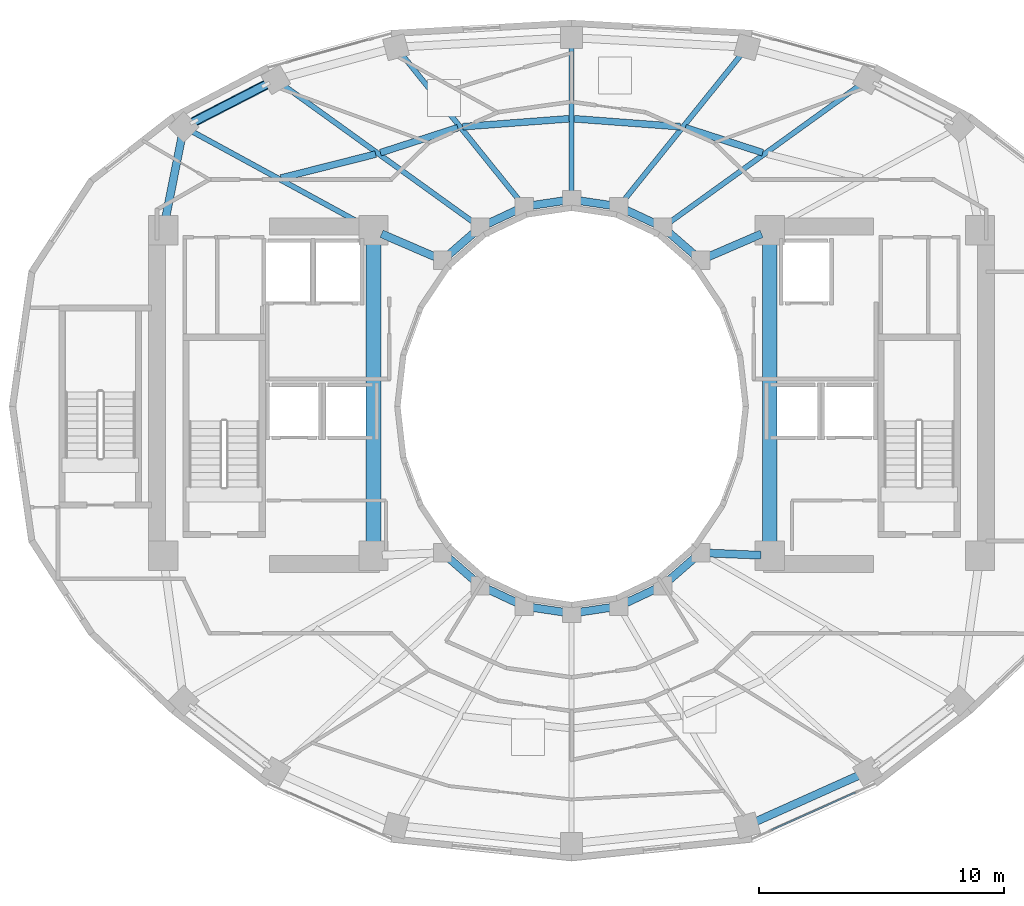
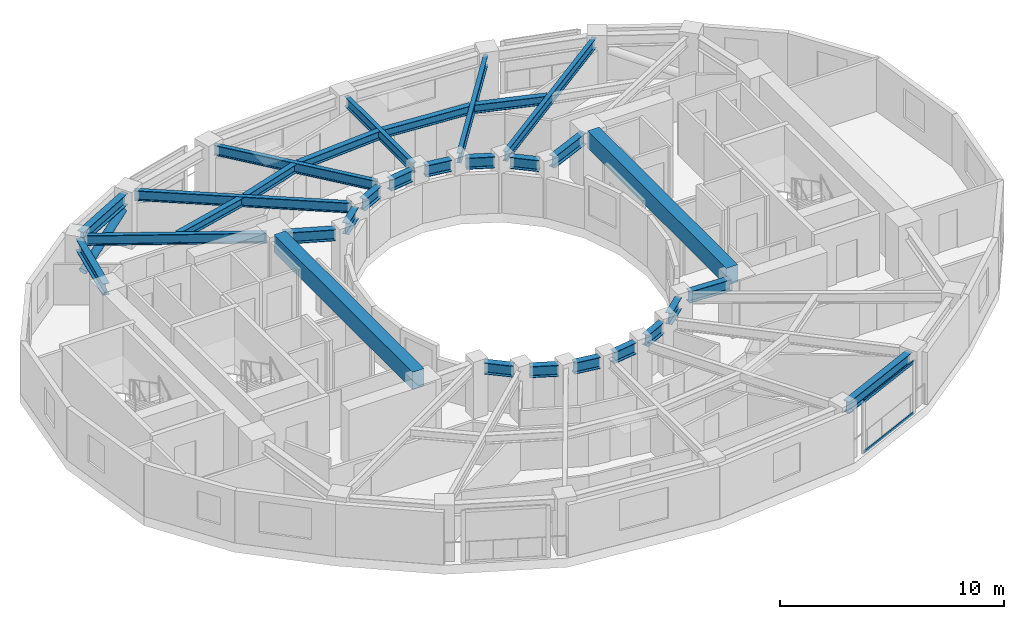
# One storey, part 5 of 17: 31 beams, 3 members, 1 element without a shape of its own.
"""IFC4 building model written with IfcOpenShell, lengths in metres."""

from ifc_helpers import new_model, si_unit, direction, frame, origin, origin_2d, place, context, subcontext, project, spatial, rectangle, hollow_rectangle, hollow_circle, i_section, extrude, material, layer, layer_set, material_profile, profile_set, type_object, element, aggregate, save


model = new_model("IFC4")

# Units and contexts
model_context = context("Model", 3, precision=1e-05, world=origin(), true_north=direction((0.0, 1.0)))
body_context = subcontext(model_context, "Body", "Model", "MODEL_VIEW")
ifc_project = project(units=[si_unit("LENGTHUNIT", "METRE"), si_unit("AREAUNIT", "SQUARE_METRE"), si_unit("VOLUMEUNIT", "CUBIC_METRE"), si_unit("PLANEANGLEUNIT", "RADIAN"), si_unit("MASSUNIT", "GRAM", prefix="KILO")], contexts=[model_context])

# Site, building, storey
site_placement = place(None, origin())
site = spatial("IfcSite", under=ifc_project, at=site_placement, CompositionType="ELEMENT")
building_placement = place(site_placement, origin())
building = spatial("IfcBuilding", under=site, at=building_placement, Name="Solvane Sanctuary Tower", CompositionType="ELEMENT")
storey_placement = place(building_placement, frame((0.0, 0.0, 171.5)))
storey = spatial("IfcBuildingStorey", under=building, at=storey_placement, Name="L52", CompositionType="ELEMENT", Elevation=171.5)

# Beams
ifc_material_1 = material(Name="Concrete C70/85", Category="concrete")
ifc_material_profile_1 = material_profile(ifc_material_1, rectangle(XDim=0.60009765625, YDim=0.949951171875, at=origin_2d()), Name="RC600X950")
ifc_profile_set_1 = profile_set([ifc_material_profile_1], Name="Concrete C70/85")
beam_type_1 = type_object("IfcBeamType", Name="Beam B-COUPLE RC600X950", PredefinedType="LINTEL", material=ifc_profile_set_1)
for number, where, z_axis, x_axis, name in (
    (1, (23.89990234375, 17.35009765625, 2.625), (0.0, 1.0, 0.0), (-1.0, 0.0, 0.0), "L52 West Core Coupling Lintel"),
    (2, (40.10009765625, 17.35009765625, 2.625), (0.0, 1.0, 0.0), (-1.0, 0.0, 0.0), "L52 East Core Coupling Lintel"),
):
    element("IfcBeam", number, at=place(storey_placement, frame(where, z_axis=z_axis, x_axis=x_axis)), inside=storey, type_object=beam_type_1, Name=name, PredefinedType="LINTEL", context=body_context, shape_type="SweptSolid", body=[
        extrude(rectangle(XDim=0.60009765625, YDim=0.949951171875, at=origin_2d()), origin(), (0.0, 0.0, 1.0), 12.39990234375),
    ])
ifc_material_2 = material(Name="Steel ASTM A992 Grade 50", Category="steel")
ifc_material_profile_2 = material_profile(ifc_material_2, i_section(OverallWidth=0.214111328125, OverallDepth=0.549072265625, WebThickness=0.0146484375, FlangeThickness=0.023681640625, FilletRadius=0.014892578125, at=origin_2d()), Name="W21X93")
ifc_profile_set_2 = profile_set([ifc_material_profile_2], Name="Steel ASTM A992 Grade 50")
beam_type_2 = type_object("IfcBeamType", Name="Beam B-RAD-Z3 W21X93", PredefinedType="JOIST", material=ifc_profile_set_2)
beam_1_placement = place(storey_placement, frame((35.95703125, 30.490234375, 2.603515625), z_axis=(0.811184384633, 0.584790470277, 0.0), x_axis=(-0.584790470277, 0.811184384633, 0.0)))
element("IfcBeam", 3, at=beam_1_placement, inside=storey, type_object=beam_type_2, Name="L52 Radial Composite Floor Beam 02", PredefinedType="JOIST", context=body_context, shape_type="SweptSolid", body=[
    extrude(i_section(OverallWidth=0.214111328125, OverallDepth=0.549072265625, WebThickness=0.0146484375, FlangeThickness=0.023681640625, FilletRadius=0.014892578125, at=origin_2d()), origin(), (0.0, 0.0, 1.0), 9.756103515625),
])
beam_2_placement = place(storey_placement, frame((34.1064453125, 31.389892578125, 2.603515625), z_axis=(0.627296867999, 0.778780225352, 0.0), x_axis=(-0.778780225352, 0.627296867999, 0.0)))
element("IfcBeam", 4, at=beam_2_placement, inside=storey, type_object=beam_type_2, Name="L52 Radial Composite Floor Beam 03", PredefinedType="JOIST", context=body_context, shape_type="SweptSolid", body=[
    extrude(i_section(OverallWidth=0.214111328125, OverallDepth=0.549072265625, WebThickness=0.0146484375, FlangeThickness=0.023681640625, FilletRadius=0.014892578125, at=origin_2d()), origin(), (0.0, 0.0, 1.0), 7.805419921875),
])
beam_3_placement = place(storey_placement, frame((32.0, 31.739990234375, 2.603515625), z_axis=(0.0, 1.0, 0.0), x_axis=(-1.0, 0.0, 0.0)))
element("IfcBeam", 5, at=beam_3_placement, inside=storey, type_object=beam_type_2, Name="L52 Radial Composite Floor Beam 04", PredefinedType="JOIST", context=body_context, shape_type="SweptSolid", body=[
    extrude(i_section(OverallWidth=0.214111328125, OverallDepth=0.549072265625, WebThickness=0.0146484375, FlangeThickness=0.023681640625, FilletRadius=0.014892578125, at=origin_2d()), origin(), (0.0, 0.0, 1.0), 6.06005859375),
])
beam_4_placement = place(storey_placement, frame((29.8935546875, 31.389892578125, 2.603515625), z_axis=(-0.627296867999, 0.778780225352, 0.0), x_axis=(-0.778780225352, -0.627296867999, 0.0)))
element("IfcBeam", 6, at=beam_4_placement, inside=storey, type_object=beam_type_2, Name="L52 Radial Composite Floor Beam 05", PredefinedType="JOIST", context=body_context, shape_type="SweptSolid", body=[
    extrude(i_section(OverallWidth=0.214111328125, OverallDepth=0.549072265625, WebThickness=0.0146484375, FlangeThickness=0.023681640625, FilletRadius=0.014892578125, at=origin_2d()), origin(), (0.0, 0.0, 1.0), 7.805419921875),
])
beam_5_placement = place(storey_placement, frame((28.04296875, 30.490234375, 2.603515625), z_axis=(-0.811184384633, 0.584790470277, 0.0), x_axis=(-0.584790470277, -0.811184384633, 0.0)))
element("IfcBeam", 7, at=beam_5_placement, inside=storey, type_object=beam_type_2, Name="L52 Radial Composite Floor Beam 06", PredefinedType="JOIST", context=body_context, shape_type="SweptSolid", body=[
    extrude(i_section(OverallWidth=0.214111328125, OverallDepth=0.549072265625, WebThickness=0.0146484375, FlangeThickness=0.023681640625, FilletRadius=0.014892578125, at=origin_2d()), origin(), (0.0, 0.0, 1.0), 9.756103515625),
])
beam_6_placement = place(storey_placement, frame((23.583984375, 30.372314453125, 2.603515625), z_axis=(-0.878108435277, 0.478461676516, 0.0), x_axis=(-0.478461676516, -0.878108435277, 0.0)))
element("IfcBeam", 8, at=beam_6_placement, inside=storey, type_object=beam_type_2, Name="L52 Radial Composite Floor Beam 07", PredefinedType="JOIST", context=body_context, shape_type="SweptSolid", body=[
    extrude(i_section(OverallWidth=0.214111328125, OverallDepth=0.549072265625, WebThickness=0.0146484375, FlangeThickness=0.023681640625, FilletRadius=0.014892578125, at=origin_2d()), origin(), (0.0, 0.0, 1.0), 8.193359375),
])
ifc_material_profile_3 = material_profile(ifc_material_2, i_section(OverallWidth=0.324951171875, OverallDepth=0.615966796875, WebThickness=0.013916015625, FlangeThickness=0.021484375, FilletRadius=0.01611328125, at=origin_2d()), Name="W24X117")
ifc_profile_set_3 = profile_set([ifc_material_profile_3], Name="Steel ASTM A992 Grade 50")
beam_type_3 = type_object("IfcBeamType", Name="Beam B-RING-IN2 W24X117", PredefinedType="BEAM", material=ifc_profile_set_3)
beam_7_placement = place(storey_placement, frame((24.230712890625, 30.0576171875, 2.570068359375), z_axis=(0.918264067649, -0.395968561966, 0.0), x_axis=(0.395968561966, 0.918264067649, 0.0)))
element("IfcBeam", 9, at=beam_7_placement, inside=storey, type_object=beam_type_3, Name="L52 Inner Light-Well Ring Beam CW3-IC07", PredefinedType="BEAM", context=body_context, shape_type="SweptSolid", body=[
    extrude(i_section(OverallWidth=0.324951171875, OverallDepth=0.615966796875, WebThickness=0.013916015625, FlangeThickness=0.021484375, FilletRadius=0.01611328125, at=origin_2d()), origin(), (0.0, 0.0, 1.0), 2.371337890625),
])
beam_8_placement = place(storey_placement, frame((26.9853515625, 29.20849609375, 2.570068359375), z_axis=(0.754311313851, 0.656516901379, 0.0), x_axis=(-0.656516901379, 0.754311313851, 0.0)))
element("IfcBeam", 10, at=beam_8_placement, inside=storey, type_object=beam_type_3, Name="L52 Inner Light-Well Ring Beam IC07-IC06", PredefinedType="BEAM", context=body_context, shape_type="SweptSolid", body=[
    extrude(i_section(OverallWidth=0.324951171875, OverallDepth=0.615966796875, WebThickness=0.013916015625, FlangeThickness=0.021484375, FilletRadius=0.01611328125, at=origin_2d()), origin(), (0.0, 0.0, 1.0), 1.358154296875),
])
beam_9_placement = place(storey_placement, frame((28.582275390625, 30.473388671875, 2.570068359375), z_axis=(0.9051808128, 0.425026700502, 0.0), x_axis=(-0.425026700502, 0.9051808128, 0.0)))
element("IfcBeam", 11, at=beam_9_placement, inside=storey, type_object=beam_type_3, Name="L52 Inner Light-Well Ring Beam IC06-IC05", PredefinedType="BEAM", context=body_context, shape_type="SweptSolid", body=[
    extrude(i_section(OverallWidth=0.324951171875, OverallDepth=0.615966796875, WebThickness=0.013916015625, FlangeThickness=0.021484375, FilletRadius=0.01611328125, at=origin_2d()), origin(), (0.0, 0.0, 1.0), 1.297607421875),
])
for number, where, z_axis, x_axis, name in (
    (12, (30.410400390625, 31.22265625, 2.570068359375), (0.989019905763, 0.147782360259, 0.0), (-0.147782360259, 0.989019905763, 0.0), "L52 Inner Light-Well Ring Beam IC05-IC04"),
    (13, (32.34130859375, 31.4091796875, 2.570068359375), (0.989019905763, -0.147782360259, 0.0), (0.147782360259, 0.989019905763, 0.0), "L52 Inner Light-Well Ring Beam IC04-IC03"),
):
    element("IfcBeam", number, at=place(storey_placement, frame(where, z_axis=z_axis, x_axis=x_axis)), inside=storey, type_object=beam_type_3, Name=name, PredefinedType="BEAM", context=body_context, shape_type="SweptSolid", body=[
        extrude(i_section(OverallWidth=0.324951171875, OverallDepth=0.615966796875, WebThickness=0.013916015625, FlangeThickness=0.021484375, FilletRadius=0.01611328125, at=origin_2d()), origin(), (0.0, 0.0, 1.0), 1.26220703125),
    ])
beam_10_placement = place(storey_placement, frame((34.2431640625, 31.02490234375, 2.570068359375), z_axis=(0.9051808128, -0.425026700502, 0.0), x_axis=(0.425026700502, 0.9051808128, 0.0)))
element("IfcBeam", 14, at=beam_10_placement, inside=storey, type_object=beam_type_3, Name="L52 Inner Light-Well Ring Beam IC03-IC02", PredefinedType="BEAM", context=body_context, shape_type="SweptSolid", body=[
    extrude(i_section(OverallWidth=0.324951171875, OverallDepth=0.615966796875, WebThickness=0.013916015625, FlangeThickness=0.021484375, FilletRadius=0.01611328125, at=origin_2d()), origin(), (0.0, 0.0, 1.0), 1.297607421875),
])
beam_11_placement = place(storey_placement, frame((35.990234375, 30.10009765625, 2.570068359375), z_axis=(0.754311313851, -0.656516901379, 0.0), x_axis=(0.656516901379, 0.754311313851, 0.0)))
element("IfcBeam", 15, at=beam_11_placement, inside=storey, type_object=beam_type_3, Name="L52 Inner Light-Well Ring Beam IC02-IC01", PredefinedType="BEAM", context=body_context, shape_type="SweptSolid", body=[
    extrude(i_section(OverallWidth=0.324951171875, OverallDepth=0.615966796875, WebThickness=0.013916015625, FlangeThickness=0.021484375, FilletRadius=0.01611328125, at=origin_2d()), origin(), (0.0, 0.0, 1.0), 1.358154296875),
])
beam_12_placement = place(storey_placement, frame((37.591796875, 29.11865234375, 2.570068359375), z_axis=(0.918264067649, 0.395968561966, 0.0), x_axis=(-0.395968561966, 0.918264067649, 0.0)))
element("IfcBeam", 16, at=beam_12_placement, inside=storey, type_object=beam_type_3, Name="L52 Inner Light-Well Ring Beam IC01-CE4", PredefinedType="BEAM", context=body_context, shape_type="SweptSolid", body=[
    extrude(i_section(OverallWidth=0.324951171875, OverallDepth=0.615966796875, WebThickness=0.013916015625, FlangeThickness=0.021484375, FilletRadius=0.01611328125, at=origin_2d()), origin(), (0.0, 0.0, 1.0), 2.371337890625),
])
beam_13_placement = place(storey_placement, frame((26.9853515625, 16.79150390625, 2.570068359375), z_axis=(0.754311313851, -0.656516901379, 0.0), x_axis=(0.656516901379, 0.754311313851, 0.0)))
element("IfcBeam", 17, at=beam_13_placement, inside=storey, type_object=beam_type_3, Name="L52 Inner Light-Well Ring Beam IC08-IC09", PredefinedType="BEAM", context=body_context, shape_type="SweptSolid", body=[
    extrude(i_section(OverallWidth=0.324951171875, OverallDepth=0.615966796875, WebThickness=0.013916015625, FlangeThickness=0.021484375, FilletRadius=0.01611328125, at=origin_2d()), origin(), (0.0, 0.0, 1.0), 1.358154296875),
])
beam_14_placement = place(storey_placement, frame((28.582275390625, 15.526611328125, 2.570068359375), z_axis=(0.9051808128, -0.425026700502, 0.0), x_axis=(0.425026700502, 0.9051808128, 0.0)))
element("IfcBeam", 18, at=beam_14_placement, inside=storey, type_object=beam_type_3, Name="L52 Inner Light-Well Ring Beam IC09-IC10", PredefinedType="BEAM", context=body_context, shape_type="SweptSolid", body=[
    extrude(i_section(OverallWidth=0.324951171875, OverallDepth=0.615966796875, WebThickness=0.013916015625, FlangeThickness=0.021484375, FilletRadius=0.01611328125, at=origin_2d()), origin(), (0.0, 0.0, 1.0), 1.297607421875),
])
for number, where, z_axis, x_axis, name in (
    (19, (30.410400390625, 14.77734375, 2.570068359375), (0.989019905763, -0.147782360259, 0.0), (0.147782360259, 0.989019905763, 0.0), "L52 Inner Light-Well Ring Beam IC10-IC11"),
    (20, (32.34130859375, 14.5908203125, 2.570068359375), (0.989019905763, 0.147782360259, 0.0), (-0.147782360259, 0.989019905763, 0.0), "L52 Inner Light-Well Ring Beam IC11-IC12"),
):
    element("IfcBeam", number, at=place(storey_placement, frame(where, z_axis=z_axis, x_axis=x_axis)), inside=storey, type_object=beam_type_3, Name=name, PredefinedType="BEAM", context=body_context, shape_type="SweptSolid", body=[
        extrude(i_section(OverallWidth=0.324951171875, OverallDepth=0.615966796875, WebThickness=0.013916015625, FlangeThickness=0.021484375, FilletRadius=0.01611328125, at=origin_2d()), origin(), (0.0, 0.0, 1.0), 1.26220703125),
    ])
beam_15_placement = place(storey_placement, frame((34.2431640625, 14.97509765625, 2.570068359375), z_axis=(0.9051808128, 0.425026700502, 0.0), x_axis=(-0.425026700502, 0.9051808128, 0.0)))
element("IfcBeam", 21, at=beam_15_placement, inside=storey, type_object=beam_type_3, Name="L52 Inner Light-Well Ring Beam IC12-IC13", PredefinedType="BEAM", context=body_context, shape_type="SweptSolid", body=[
    extrude(i_section(OverallWidth=0.324951171875, OverallDepth=0.615966796875, WebThickness=0.013916015625, FlangeThickness=0.021484375, FilletRadius=0.01611328125, at=origin_2d()), origin(), (0.0, 0.0, 1.0), 1.297607421875),
])
beam_16_placement = place(storey_placement, frame((35.990234375, 15.89990234375, 2.570068359375), z_axis=(0.754311313851, 0.656516901379, 0.0), x_axis=(-0.656516901379, 0.754311313851, 0.0)))
element("IfcBeam", 22, at=beam_16_placement, inside=storey, type_object=beam_type_3, Name="L52 Inner Light-Well Ring Beam IC13-IC14", PredefinedType="BEAM", context=body_context, shape_type="SweptSolid", body=[
    extrude(i_section(OverallWidth=0.324951171875, OverallDepth=0.615966796875, WebThickness=0.013916015625, FlangeThickness=0.021484375, FilletRadius=0.01611328125, at=origin_2d()), origin(), (0.0, 0.0, 1.0), 1.358154296875),
])
beam_17_placement = place(storey_placement, frame((37.61962890625, 17.00341796875, 2.570068359375), z_axis=(0.999132674336, -0.041640113759, 0.0), x_axis=(0.041640113759, 0.999132674336, 0.0)))
element("IfcBeam", 23, at=beam_17_placement, inside=storey, type_object=beam_type_3, Name="L52 Inner Light-Well Ring Beam IC14-CE1", PredefinedType="BEAM", context=body_context, shape_type="SweptSolid", body=[
    extrude(i_section(OverallWidth=0.324951171875, OverallDepth=0.615966796875, WebThickness=0.013916015625, FlangeThickness=0.021484375, FilletRadius=0.01611328125, at=origin_2d()), origin(), (0.0, 0.0, 1.0), 2.12255859375),
])
ifc_material_profile_4 = material_profile(ifc_material_2, i_section(OverallWidth=0.280029296875, OverallDepth=0.462890625, WebThickness=0.0107421875, FlangeThickness=0.017333984375, FilletRadius=0.013916015625, at=origin_2d()), Name="W18X76")
ifc_profile_set_4 = profile_set([ifc_material_profile_4], Name="Steel ASTM A992 Grade 50")
beam_type_4 = type_object("IfcBeamType", Name="Beam B-SEC-JOIST W18X76", PredefinedType="JOIST", material=ifc_profile_set_4)
beam_18_placement = place(storey_placement, frame((20.12060546875, 32.33837890625, 2.646484375), z_axis=(0.969378020231, 0.245573316737, 0.0), x_axis=(-0.245573316737, 0.969378020231, 0.0)))
element("IfcBeam", 24, at=beam_18_placement, inside=storey, type_object=beam_type_4, Name="L52 Secondary Circumferential Joist 07-06", PredefinedType="JOIST", context=body_context, shape_type="SweptSolid", body=[
    extrude(i_section(OverallWidth=0.280029296875, OverallDepth=0.462890625, WebThickness=0.0107421875, FlangeThickness=0.017333984375, FilletRadius=0.013916015625, at=origin_2d()), origin(), (0.0, 0.0, 1.0), 3.988525390625),
])
beam_19_placement = place(storey_placement, frame((24.18310546875, 33.37451171875, 2.646484375), z_axis=(0.951520984169, 0.307583836842, 0.0), x_axis=(-0.307583836842, 0.951520984169, 0.0)))
element("IfcBeam", 25, at=beam_19_placement, inside=storey, type_object=beam_type_4, Name="L52 Secondary Circumferential Joist 06-05", PredefinedType="JOIST", context=body_context, shape_type="SweptSolid", body=[
    extrude(i_section(OverallWidth=0.280029296875, OverallDepth=0.462890625, WebThickness=0.0107421875, FlangeThickness=0.017333984375, FilletRadius=0.013916015625, at=origin_2d()), origin(), (0.0, 0.0, 1.0), 3.32666015625),
])
for number, where, z_axis, x_axis, name in (
    (26, (27.547119140625, 34.436767578125, 2.646484375), (0.99721035762, 0.074642498994, 0.0), (-0.074642498994, 0.99721035762, 0.0), "L52 Secondary Circumferential Joist 05-04"),
    (27, (32.101806640625, 34.762451171875, 2.646484375), (0.99721035762, -0.074642498994, 0.0), (0.074642498994, 0.99721035762, 0.0), "L52 Secondary Circumferential Joist 04-03"),
):
    element("IfcBeam", number, at=place(storey_placement, frame(where, z_axis=z_axis, x_axis=x_axis)), inside=storey, type_object=beam_type_4, Name=name, PredefinedType="JOIST", context=body_context, shape_type="SweptSolid", body=[
        extrude(i_section(OverallWidth=0.280029296875, OverallDepth=0.462890625, WebThickness=0.0107421875, FlangeThickness=0.017333984375, FilletRadius=0.013916015625, at=origin_2d()), origin(), (0.0, 0.0, 1.0), 4.36328125),
    ])
beam_20_placement = place(storey_placement, frame((36.651611328125, 34.397705078125, 2.646484375), z_axis=(0.951520984169, -0.307583836842, 0.0), x_axis=(0.307583836842, 0.951520984169, 0.0)))
element("IfcBeam", 28, at=beam_20_placement, inside=storey, type_object=beam_type_4, Name="L52 Secondary Circumferential Joist 03-02", PredefinedType="JOIST", context=body_context, shape_type="SweptSolid", body=[
    extrude(i_section(OverallWidth=0.280029296875, OverallDepth=0.462890625, WebThickness=0.0107421875, FlangeThickness=0.017333984375, FilletRadius=0.013916015625, at=origin_2d()), origin(), (0.0, 0.0, 1.0), 3.32666015625),
])
ifc_material_profile_5 = material_profile(ifc_material_2, i_section(OverallWidth=0.327880859375, OverallDepth=0.6279296875, WebThickness=0.0166015625, FlangeThickness=0.027587890625, FilletRadius=0.01611328125, at=origin_2d()), Name="W24X146")
ifc_profile_set_5 = profile_set([ifc_material_profile_5], Name="Steel ASTM A992 Grade 50")
beam_type_5 = type_object("IfcBeamType", Name="Beam B-SPAND-Z3 W24X146", PredefinedType="SPANDREL", material=ifc_profile_set_5)
beam_21_placement = place(storey_placement, frame((15.354736328125, 30.474609375, 2.56396484375), z_axis=(0.195715452505, 0.980660727087, 0.0), x_axis=(-0.980660727087, 0.195715452505, 0.0)))
element("IfcBeam", 29, at=beam_21_placement, inside=storey, type_object=beam_type_5, Name="L52 Perimeter Spandrel Beam CW4-TC07", PredefinedType="SPANDREL", context=body_context, shape_type="SweptSolid", body=[
    extrude(i_section(OverallWidth=0.327880859375, OverallDepth=0.6279296875, WebThickness=0.0166015625, FlangeThickness=0.027587890625, FilletRadius=0.01611328125, at=origin_2d()), origin(), (0.0, 0.0, 1.0), 3.749755859375),
])
beam_22_placement = place(storey_placement, frame((16.392333984375, 34.554443359375, 2.56396484375), z_axis=(0.889295540094, 0.457332966632, 0.0), x_axis=(-0.457332966632, 0.889295540094, 0.0)))
element("IfcBeam", 30, at=beam_22_placement, inside=storey, type_object=beam_type_5, Name="L52 Perimeter Spandrel Beam TC07-TC06", PredefinedType="SPANDREL", context=body_context, shape_type="SweptSolid", body=[
    extrude(i_section(OverallWidth=0.327880859375, OverallDepth=0.6279296875, WebThickness=0.0166015625, FlangeThickness=0.027587890625, FilletRadius=0.01611328125, at=origin_2d()), origin(), (0.0, 0.0, 1.0), 3.66650390625),
])
beam_23_placement = place(storey_placement, frame((39.433837890625, 5.97998046875, 2.56396484375), z_axis=(0.912414349424, 0.409267705744, 0.0), x_axis=(-0.409267705744, 0.912414349424, 0.0)))
element("IfcBeam", 31, at=beam_23_placement, inside=storey, type_object=beam_type_5, Name="L52 Perimeter Spandrel Beam TC12-TC13", PredefinedType="SPANDREL", context=body_context, shape_type="SweptSolid", body=[
    extrude(i_section(OverallWidth=0.327880859375, OverallDepth=0.6279296875, WebThickness=0.0166015625, FlangeThickness=0.027587890625, FilletRadius=0.01611328125, at=origin_2d()), origin(), (0.0, 0.0, 1.0), 4.831787109375),
])

# Curtain wall, members
ifc_material_3 = material(Name="Anodised Aluminium 6063-T6", Category="aluminium")
ifc_layer = layer(ifc_material_3, 0.179931640625, Name="Anodised Aluminium 6063-T6")
ifc_layer_set = layer_set([ifc_layer], Name="Anodised Aluminium 6063-T6")
curtain_wall_type = type_object("IfcCurtainWallType", Name="Curtain Wall CW-FRIT-Z2", PredefinedType="NOTDEFINED", material=ifc_layer_set)
curtain_wall_placement = place(storey_placement, origin())
curtain_wall = element("IfcCurtainWall", 32, at=curtain_wall_placement, inside=storey, type_object=curtain_wall_type, Name="L52 CW-FRIT-Z2 Facade Run 19", PredefinedType="NOTDEFINED")
ifc_material_profile_6 = material_profile(ifc_material_3, hollow_rectangle(XDim=0.06494140625, YDim=0.159912109375, WallThickness=0.00341796875, at=origin_2d()), Name="ALU160X65X3.5")
ifc_profile_set_6 = profile_set([ifc_material_profile_6], Name="Anodised Aluminium 6063-T6")
member_type_1 = type_object("IfcMemberType", Name="Member M-CW-TRN-1 ALU160X65X3.5", PredefinedType="USERDEFINED", material=ifc_profile_set_6)
member_1_placement = place(storey_placement, frame((40.181640625, 5.681884765625, 0.032470703125), z_axis=(0.912374949437, 0.409355532075, 0.0), x_axis=(-0.409355532075, 0.912374949437, 0.0)))
member_1 = element("IfcMember", 33, at=member_1_placement, type_object=member_type_1, Name="CW-FRIT-Z2 transom 1.1", ObjectType="TRANSOM", PredefinedType="USERDEFINED", context=body_context, shape_type="SweptSolid", body=[
    extrude(hollow_rectangle(XDim=0.06494140625, YDim=0.159912109375, WallThickness=0.00341796875, at=origin_2d()), origin(), (0.0, 0.0, 1.0), 3.742919921875),
])
member_2_placement = place(storey_placement, frame((40.181640625, 5.681884765625, 2.8076171875), z_axis=(0.912374949437, 0.409355532075, 0.0), x_axis=(-0.409355532075, 0.912374949437, 0.0)))
member_2 = element("IfcMember", 34, at=member_2_placement, type_object=member_type_1, Name="CW-FRIT-Z2 transom 1.2", ObjectType="TRANSOM", PredefinedType="USERDEFINED", context=body_context, shape_type="SweptSolid", body=[
    extrude(hollow_rectangle(XDim=0.06494140625, YDim=0.159912109375, WallThickness=0.00341796875, at=origin_2d()), origin(), (0.0, 0.0, 1.0), 3.742919921875),
])
aggregate(curtain_wall, [member_1, member_2])

# Member
ifc_material_profile_7 = material_profile(ifc_material_2, hollow_circle(Radius=0.202880859375, WallThickness=0.012451171875, at=origin_2d()), Name="CHS406X12.5")
ifc_profile_set_7 = profile_set([ifc_material_profile_7], Name="Steel ASTM A992 Grade 50")
member_type_2 = type_object("IfcMemberType", Name="Member M-TUBE-Z3 CHS406X12.5", PredefinedType="BRACE", material=ifc_profile_set_7)
member_3_placement = place(storey_placement, frame((16.57177734375, 34.646728515625, 0.593017578125), z_axis=(0.813229340921, 0.418236115998, 0.404643782036), x_axis=(-0.457351371069, 0.889286075108, 0.0)))
element("IfcMember", 35, at=member_3_placement, inside=storey, type_object=member_type_2, Name="L52 Perimeter Braced-Tube Diagonal NW", PredefinedType="BRACE", context=body_context, shape_type="SweptSolid", body=[
    extrude(hollow_circle(Radius=0.202880859375, WallThickness=0.012451171875, at=origin_2d()), origin(), (0.0, 0.0, 1.0), 3.59228515625),
])

save(model, "model.ifc")
